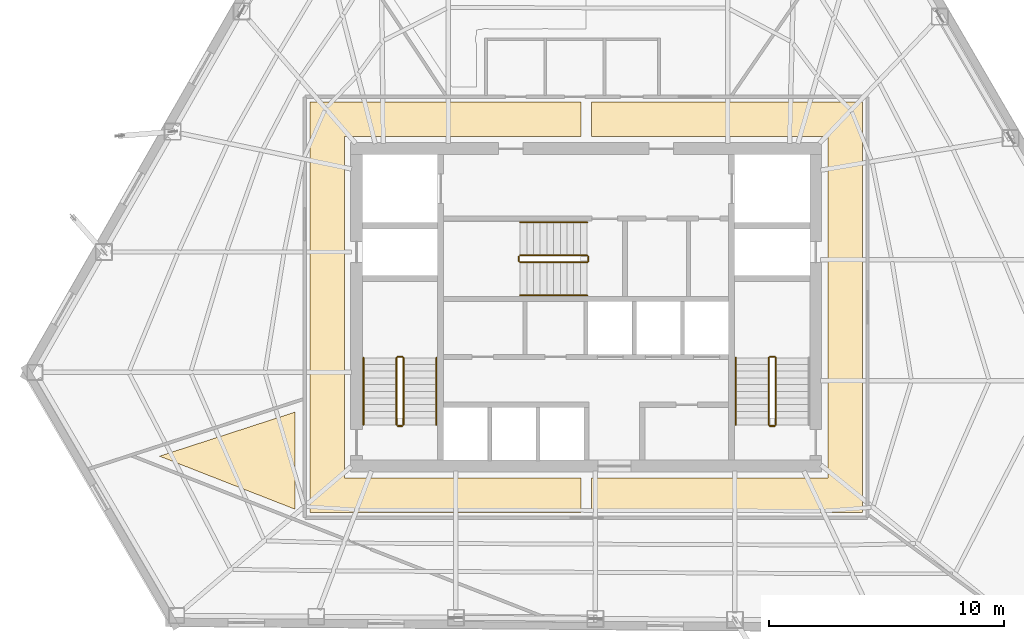
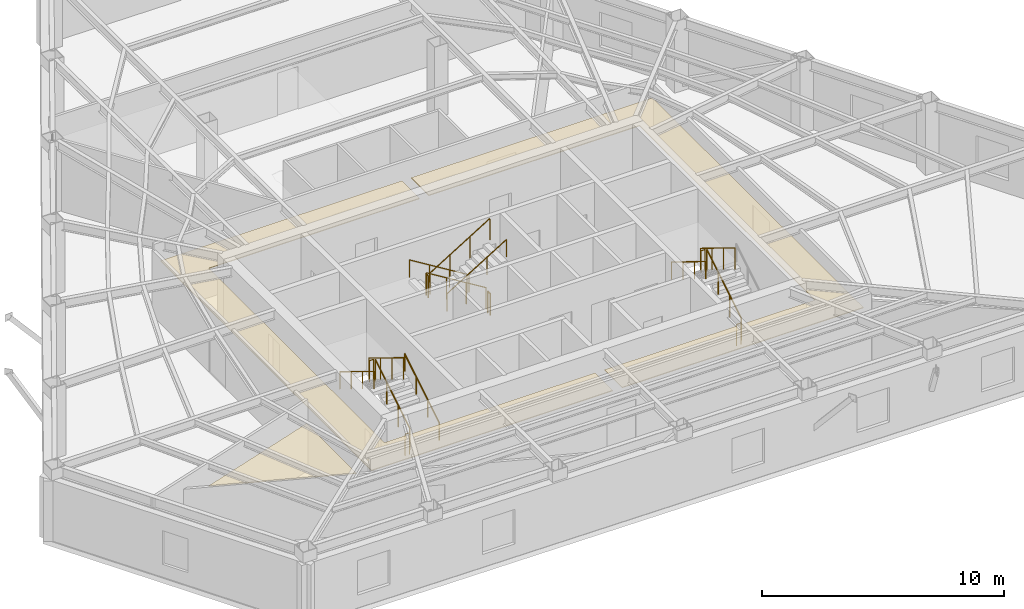
# One storey, part 12 of 13: 17 railings, 3 coverings.
"""IFC4 building model written with IfcOpenShell, lengths in metres."""

from ifc_helpers import new_model, si_unit, direction, frame, origin, origin_2d, place, context, subcontext, project, spatial, polyline, circle, outline, extrude, material, layer, layer_set, type_object, element, save


model = new_model("IFC4")

# Units and contexts
model_context = context("Model", 3, precision=1e-05, world=origin(), true_north=direction((0.0, 1.0)))
body_context = subcontext(model_context, "Body", "Model", "MODEL_VIEW")
ifc_project = project(units=[si_unit("LENGTHUNIT", "METRE"), si_unit("AREAUNIT", "SQUARE_METRE"), si_unit("VOLUMEUNIT", "CUBIC_METRE"), si_unit("PLANEANGLEUNIT", "RADIAN"), si_unit("MASSUNIT", "GRAM", prefix="KILO")], contexts=[model_context])

# Site, building, storey
site_placement = place(None, origin())
site = spatial("IfcSite", under=ifc_project, at=site_placement, CompositionType="ELEMENT")
building_placement = place(site_placement, origin())
building = spatial("IfcBuilding", under=site, at=building_placement, Name="Kavelnor Concourse Tower", CompositionType="ELEMENT")
storey_placement = place(building_placement, frame((0.0, 0.0, 116.300048828125)))
storey = spatial("IfcBuildingStorey", under=building, at=storey_placement, Name="L29", CompositionType="ELEMENT", Elevation=116.300048828125)

# Coverings
ifc_material_1 = material(Name="Mineral fibre acoustic ceiling tile")
ifc_layer = layer(ifc_material_1, 0.0400390625, Name="Mineral fibre acoustic ceiling tile")
ifc_layer_set = layer_set([ifc_layer], Name="Mineral fibre acoustic ceiling tile")
covering_type = type_object("IfcCoveringType", Name="COV-CEILING-ACOUSTIC", PredefinedType="CEILING", material=ifc_layer_set)
covering_1_placement = place(storey_placement, frame((0.0, 0.0, 2.75)))
element("IfcCovering", 1, at=covering_1_placement, inside=storey, type_object=covering_type, Name="L29 Suspended Acoustic Ceiling", PredefinedType="CEILING", context=body_context, shape_type="SweptSolid", body=[
    extrude(outline(polyline([(26.25, 7.3701171875), (26.25, 24.830078125), (37.77490234375, 24.830078125), (37.77490234375, 23.3701171875), (27.7099609375, 23.3701171875), (27.7099609375, 8.830078125), (37.77490234375, 8.830078125), (37.77490234375, 7.3701171875), (26.25, 7.3701171875)])), origin(), (0.0, 0.0, 1.0), 0.0400390625),
])
covering_2_placement = place(storey_placement, frame((0.0, 0.0, 2.75)))
element("IfcCovering", 2, at=covering_2_placement, inside=storey, type_object=covering_type, Name="L29 Suspended Acoustic Ceiling", PredefinedType="CEILING", context=body_context, shape_type="SweptSolid", body=[
    extrude(outline(polyline([(49.75, 7.3701171875), (38.22509765625, 7.3701171875), (38.22509765625, 8.830078125), (48.2900390625, 8.830078125), (48.2900390625, 23.3701171875), (38.22509765625, 23.3701171875), (38.22509765625, 24.830078125), (49.75, 24.830078125), (49.75, 7.3701171875)])), origin(), (0.0, 0.0, 1.0), 0.0400390625),
])
covering_3_placement = place(storey_placement, frame((0.0, 0.0, 2.75)))
element("IfcCovering", 3, at=covering_3_placement, inside=storey, type_object=covering_type, Name="L29 Suspended Acoustic Ceiling", PredefinedType="CEILING", context=body_context, shape_type="SweptSolid", body=[
    extrude(outline(polyline([(19.84765625, 9.765625), (25.607421875, 11.63720703125), (25.607421875, 7.5107421875), (19.84765625, 9.765625)])), origin(), (0.0, 0.0, 1.0), 0.0400390625),
])

# Railings
ifc_material_2 = material(Name="Steel Grade 350", Category="steel")
railing_type_1 = type_object("IfcRailingType", Name="RLG-GUARD-1100", PredefinedType="GUARDRAIL", material=ifc_material_2)
railing_1_placement = place(storey_placement, frame((30.22998046875, 11.10009765625, 0.175048828125)))
element("IfcRailing", 4, at=railing_1_placement, inside=storey, type_object=railing_type_1, Name="L29 ST1 stair guard 1", PredefinedType="GUARDRAIL", context=body_context, shape_type="SweptSolid", body=[
    extrude(circle(Radius=0.02392578125, at=origin_2d()), frame((0.0, 0.0, 1.076171875), z_axis=(0.0, 0.852159232446, 0.523282564737), x_axis=(-1.0, 0.0, 0.0)), (0.0, 0.0, 1.0), 3.34423828125),
    extrude(circle(Radius=0.02099609375, at=origin_2d()), origin(), (0.0, 0.0, 1.0), 1.052001953125),
    extrude(circle(Radius=0.02099609375, at=origin_2d()), frame((0.0, 0.949951171875, 0.583251953125)), (0.0, 0.0, 1.0), 1.052001953125),
    extrude(circle(Radius=0.02099609375, at=origin_2d()), frame((0.0, 1.89990234375, 1.166748046875)), (0.0, 0.0, 1.0), 1.052001953125),
    extrude(circle(Radius=0.02099609375, at=origin_2d()), frame((0.0, 2.849853515625, 1.75)), (0.0, 0.0, 1.0), 1.052001953125),
])
railing_2_placement = place(storey_placement, frame((30.179931640625, 14.0, 1.925048828125)))
element("IfcRailing", 5, at=railing_2_placement, inside=storey, type_object=railing_type_1, Name="L29 ST1 stair guard 2", PredefinedType="GUARDRAIL", context=body_context, shape_type="SweptSolid", body=[
    extrude(circle(Radius=0.02392578125, at=origin_2d()), frame((0.0, 0.0, 1.076171875), z_axis=(-1.0, 0.0, 0.0), x_axis=(0.0, -1.0, 0.0)), (0.0, 0.0, 1.0), 0.199951171875),
    extrude(circle(Radius=0.02099609375, at=origin_2d()), origin(), (0.0, 0.0, 1.0), 1.052001953125),
    extrude(circle(Radius=0.02099609375, at=origin_2d()), frame((-0.199951171875, 0.0, 0.0)), (0.0, 0.0, 1.0), 1.052001953125),
])
railing_3_placement = place(storey_placement, frame((29.929931640625, 13.949951171875, 2.099853515625)))
element("IfcRailing", 6, at=railing_3_placement, inside=storey, type_object=railing_type_1, Name="L29 ST1 stair guard 3", PredefinedType="GUARDRAIL", context=body_context, shape_type="SweptSolid", body=[
    extrude(circle(Radius=0.02392578125, at=origin_2d()), frame((0.0, 0.0, 1.076171875), z_axis=(0.0, -0.852159232446, 0.523282564737), x_axis=(1.0, 0.0, 0.0)), (0.0, 0.0, 1.0), 3.34423828125),
    extrude(circle(Radius=0.02099609375, at=origin_2d()), origin(), (0.0, 0.0, 1.0), 1.052001953125),
    extrude(circle(Radius=0.02099609375, at=origin_2d()), frame((0.0, -0.949951171875, 0.583251953125)), (0.0, 0.0, 1.0), 1.052001953125),
    extrude(circle(Radius=0.02099609375, at=origin_2d()), frame((0.0, -1.89990234375, 1.166748046875)), (0.0, 0.0, 1.0), 1.052001953125),
    extrude(circle(Radius=0.02099609375, at=origin_2d()), frame((0.0, -2.849853515625, 1.75)), (0.0, 0.0, 1.0), 1.052001953125),
])
railing_4_placement = place(storey_placement, frame((30.179931640625, 11.050048828125, 0.0)))
element("IfcRailing", 7, at=railing_4_placement, inside=storey, type_object=railing_type_1, Name="L29 ST1 stair guard 4", PredefinedType="GUARDRAIL", context=body_context, shape_type="SweptSolid", body=[
    extrude(circle(Radius=0.02392578125, at=origin_2d()), frame((0.0, 0.0, 1.076171875), z_axis=(-1.0, 0.0, 0.0), x_axis=(0.0, -1.0, 0.0)), (0.0, 0.0, 1.0), 0.199951171875),
    extrude(circle(Radius=0.02099609375, at=origin_2d()), origin(), (0.0, 0.0, 1.0), 1.052001953125),
    extrude(circle(Radius=0.02099609375, at=origin_2d()), frame((-0.199951171875, 0.0, 0.0)), (0.0, 0.0, 1.0), 1.052001953125),
])
railing_5_placement = place(storey_placement, frame((46.070068359375, 11.10009765625, 0.175048828125)))
element("IfcRailing", 8, at=railing_5_placement, inside=storey, type_object=railing_type_1, Name="L29 ST2 stair guard 1", PredefinedType="GUARDRAIL", context=body_context, shape_type="SweptSolid", body=[
    extrude(circle(Radius=0.02392578125, at=origin_2d()), frame((0.0, 0.0, 1.076171875), z_axis=(0.0, 0.852159232446, 0.523282564737), x_axis=(-1.0, 0.0, 0.0)), (0.0, 0.0, 1.0), 3.34423828125),
    extrude(circle(Radius=0.02099609375, at=origin_2d()), origin(), (0.0, 0.0, 1.0), 1.052001953125),
    extrude(circle(Radius=0.02099609375, at=origin_2d()), frame((0.0, 0.949951171875, 0.583251953125)), (0.0, 0.0, 1.0), 1.052001953125),
    extrude(circle(Radius=0.02099609375, at=origin_2d()), frame((0.0, 1.89990234375, 1.166748046875)), (0.0, 0.0, 1.0), 1.052001953125),
    extrude(circle(Radius=0.02099609375, at=origin_2d()), frame((0.0, 2.849853515625, 1.75)), (0.0, 0.0, 1.0), 1.052001953125),
])
railing_6_placement = place(storey_placement, frame((46.02001953125, 14.0, 1.925048828125)))
element("IfcRailing", 9, at=railing_6_placement, inside=storey, type_object=railing_type_1, Name="L29 ST2 stair guard 2", PredefinedType="GUARDRAIL", context=body_context, shape_type="SweptSolid", body=[
    extrude(circle(Radius=0.02392578125, at=origin_2d()), frame((0.0, 0.0, 1.076171875), z_axis=(-1.0, 0.0, 0.0), x_axis=(0.0, -1.0, 0.0)), (0.0, 0.0, 1.0), 0.199951171875),
    extrude(circle(Radius=0.02099609375, at=origin_2d()), origin(), (0.0, 0.0, 1.0), 1.052001953125),
    extrude(circle(Radius=0.02099609375, at=origin_2d()), frame((-0.199951171875, 0.0, 0.0)), (0.0, 0.0, 1.0), 1.052001953125),
])
railing_7_placement = place(storey_placement, frame((45.77001953125, 13.949951171875, 2.099853515625)))
element("IfcRailing", 10, at=railing_7_placement, inside=storey, type_object=railing_type_1, Name="L29 ST2 stair guard 3", PredefinedType="GUARDRAIL", context=body_context, shape_type="SweptSolid", body=[
    extrude(circle(Radius=0.02392578125, at=origin_2d()), frame((0.0, 0.0, 1.076171875), z_axis=(0.0, -0.852159232446, 0.523282564737), x_axis=(1.0, 0.0, 0.0)), (0.0, 0.0, 1.0), 3.34423828125),
    extrude(circle(Radius=0.02099609375, at=origin_2d()), origin(), (0.0, 0.0, 1.0), 1.052001953125),
    extrude(circle(Radius=0.02099609375, at=origin_2d()), frame((0.0, -0.949951171875, 0.583251953125)), (0.0, 0.0, 1.0), 1.052001953125),
    extrude(circle(Radius=0.02099609375, at=origin_2d()), frame((0.0, -1.89990234375, 1.166748046875)), (0.0, 0.0, 1.0), 1.052001953125),
    extrude(circle(Radius=0.02099609375, at=origin_2d()), frame((0.0, -2.849853515625, 1.75)), (0.0, 0.0, 1.0), 1.052001953125),
])
railing_8_placement = place(storey_placement, frame((46.02001953125, 11.050048828125, 0.0)))
element("IfcRailing", 11, at=railing_8_placement, inside=storey, type_object=railing_type_1, Name="L29 ST2 stair guard 4", PredefinedType="GUARDRAIL", context=body_context, shape_type="SweptSolid", body=[
    extrude(circle(Radius=0.02392578125, at=origin_2d()), frame((0.0, 0.0, 1.076171875), z_axis=(-1.0, 0.0, 0.0), x_axis=(0.0, -1.0, 0.0)), (0.0, 0.0, 1.0), 0.199951171875),
    extrude(circle(Radius=0.02099609375, at=origin_2d()), origin(), (0.0, 0.0, 1.0), 1.052001953125),
    extrude(circle(Radius=0.02099609375, at=origin_2d()), frame((-0.199951171875, 0.0, 0.0)), (0.0, 0.0, 1.0), 1.052001953125),
])
railing_9_placement = place(storey_placement, frame((38.0400390625, 18.31005859375, 0.175048828125)))
element("IfcRailing", 12, at=railing_9_placement, inside=storey, type_object=railing_type_1, Name="L29 ST3 stair guard 1", PredefinedType="GUARDRAIL", context=body_context, shape_type="SweptSolid", body=[
    extrude(circle(Radius=0.02392578125, at=origin_2d()), frame((0.0, 0.0, 1.076171875), z_axis=(-0.852179220489, 0.0, 0.52325001306), x_axis=(0.0, -1.0, 0.0)), (0.0, 0.0, 1.0), 3.344482421875),
    extrude(circle(Radius=0.02099609375, at=origin_2d()), origin(), (0.0, 0.0, 1.0), 1.052001953125),
    extrude(circle(Radius=0.02099609375, at=origin_2d()), frame((-0.949951171875, 0.0, 0.583251953125)), (0.0, 0.0, 1.0), 1.052001953125),
    extrude(circle(Radius=0.02099609375, at=origin_2d()), frame((-1.900146484375, 0.0, 1.166748046875)), (0.0, 0.0, 1.0), 1.052001953125),
    extrude(circle(Radius=0.02099609375, at=origin_2d()), frame((-2.85009765625, 0.0, 1.75)), (0.0, 0.0, 1.0), 1.052001953125),
])
railing_10_placement = place(storey_placement, frame((35.139892578125, 18.260009765625, 1.925048828125)))
element("IfcRailing", 13, at=railing_10_placement, inside=storey, type_object=railing_type_1, Name="L29 ST3 stair guard 2", PredefinedType="GUARDRAIL", context=body_context, shape_type="SweptSolid", body=[
    extrude(circle(Radius=0.02392578125, at=origin_2d()), frame((0.0, 0.0, 1.076171875), z_axis=(0.0, -1.0, 0.0), x_axis=(1.0, 0.0, 0.0)), (0.0, 0.0, 1.0), 0.199951171875),
    extrude(circle(Radius=0.02099609375, at=origin_2d()), origin(), (0.0, 0.0, 1.0), 1.052001953125),
    extrude(circle(Radius=0.02099609375, at=origin_2d()), frame((0.0, -0.199951171875, 0.0)), (0.0, 0.0, 1.0), 1.052001953125),
])
railing_11_placement = place(storey_placement, frame((35.18994140625, 18.010009765625, 2.099853515625)))
element("IfcRailing", 14, at=railing_11_placement, inside=storey, type_object=railing_type_1, Name="L29 ST3 stair guard 3", PredefinedType="GUARDRAIL", context=body_context, shape_type="SweptSolid", body=[
    extrude(circle(Radius=0.02392578125, at=origin_2d()), frame((0.0, 0.0, 1.076171875), z_axis=(0.852179220489, 0.0, 0.52325001306), x_axis=(0.0, 1.0, 0.0)), (0.0, 0.0, 1.0), 3.344482421875),
    extrude(circle(Radius=0.02099609375, at=origin_2d()), origin(), (0.0, 0.0, 1.0), 1.052001953125),
    extrude(circle(Radius=0.02099609375, at=origin_2d()), frame((0.949951171875, 0.0, 0.583251953125)), (0.0, 0.0, 1.0), 1.052001953125),
    extrude(circle(Radius=0.02099609375, at=origin_2d()), frame((1.900146484375, 0.0, 1.166748046875)), (0.0, 0.0, 1.0), 1.052001953125),
    extrude(circle(Radius=0.02099609375, at=origin_2d()), frame((2.85009765625, 0.0, 1.75)), (0.0, 0.0, 1.0), 1.052001953125),
])
railing_12_placement = place(storey_placement, frame((38.090087890625, 18.260009765625, 0.0)))
element("IfcRailing", 15, at=railing_12_placement, inside=storey, type_object=railing_type_1, Name="L29 ST3 stair guard 4", PredefinedType="GUARDRAIL", context=body_context, shape_type="SweptSolid", body=[
    extrude(circle(Radius=0.02392578125, at=origin_2d()), frame((0.0, 0.0, 1.076171875), z_axis=(0.0, -1.0, 0.0), x_axis=(1.0, 0.0, 0.0)), (0.0, 0.0, 1.0), 0.199951171875),
    extrude(circle(Radius=0.02099609375, at=origin_2d()), origin(), (0.0, 0.0, 1.0), 1.052001953125),
    extrude(circle(Radius=0.02099609375, at=origin_2d()), frame((0.0, -0.199951171875, 0.0)), (0.0, 0.0, 1.0), 1.052001953125),
])
railing_type_2 = type_object("IfcRailingType", Name="RLG-HANDRAIL-900", PredefinedType="HANDRAIL", material=ifc_material_2)
railing_13_placement = place(storey_placement, frame((31.6298828125, 11.10009765625, 0.175048828125)))
element("IfcRailing", 16, at=railing_13_placement, inside=storey, type_object=railing_type_2, Name="L29 ST1 stair handrail 1", PredefinedType="HANDRAIL", context=body_context, shape_type="SweptSolid", body=[
    extrude(circle(Radius=0.02392578125, at=origin_2d()), frame((0.0, 0.0, 0.8759765625), z_axis=(0.0, 0.852159232446, 0.523282564737), x_axis=(-1.0, 0.0, 0.0)), (0.0, 0.0, 1.0), 3.34423828125),
    extrude(circle(Radius=0.02099609375, at=origin_2d()), origin(), (0.0, 0.0, 1.0), 0.851806640625),
    extrude(circle(Radius=0.02099609375, at=origin_2d()), frame((0.0, 0.949951171875, 0.583251953125)), (0.0, 0.0, 1.0), 0.851806640625),
    extrude(circle(Radius=0.02099609375, at=origin_2d()), frame((0.0, 1.89990234375, 1.166748046875)), (0.0, 0.0, 1.0), 0.851806640625),
    extrude(circle(Radius=0.02099609375, at=origin_2d()), frame((0.0, 2.849853515625, 1.75)), (0.0, 0.0, 1.0), 0.851806640625),
])
for number, where, name in (
    (17, (28.530029296875, 13.949951171875, 2.099853515625), "L29 ST1 stair handrail 2"),
    (18, (44.3701171875, 13.949951171875, 2.099853515625), "L29 ST2 stair handrail 2"),
):
    element("IfcRailing", number, at=place(storey_placement, frame(where)), inside=storey, type_object=railing_type_2, Name=name, PredefinedType="HANDRAIL", context=body_context, shape_type="SweptSolid", body=[
        extrude(circle(Radius=0.02392578125, at=origin_2d()), frame((0.0, 0.0, 0.8759765625), z_axis=(0.0, -0.852159232446, 0.523282564737), x_axis=(1.0, 0.0, 0.0)), (0.0, 0.0, 1.0), 3.34423828125),
        extrude(circle(Radius=0.02099609375, at=origin_2d()), origin(), (0.0, 0.0, 1.0), 0.851806640625),
        extrude(circle(Radius=0.02099609375, at=origin_2d()), frame((0.0, -0.949951171875, 0.583251953125)), (0.0, 0.0, 1.0), 0.851806640625),
        extrude(circle(Radius=0.02099609375, at=origin_2d()), frame((0.0, -1.89990234375, 1.166748046875)), (0.0, 0.0, 1.0), 0.851806640625),
        extrude(circle(Radius=0.02099609375, at=origin_2d()), frame((0.0, -2.849853515625, 1.75)), (0.0, 0.0, 1.0), 0.851806640625),
    ])
railing_14_placement = place(storey_placement, frame((38.0400390625, 19.7099609375, 0.175048828125)))
element("IfcRailing", 19, at=railing_14_placement, inside=storey, type_object=railing_type_2, Name="L29 ST3 stair handrail 1", PredefinedType="HANDRAIL", context=body_context, shape_type="SweptSolid", body=[
    extrude(circle(Radius=0.02392578125, at=origin_2d()), frame((0.0, 0.0, 0.8759765625), z_axis=(-0.852179220489, 0.0, 0.52325001306), x_axis=(0.0, -1.0, 0.0)), (0.0, 0.0, 1.0), 3.344482421875),
    extrude(circle(Radius=0.02099609375, at=origin_2d()), origin(), (0.0, 0.0, 1.0), 0.851806640625),
    extrude(circle(Radius=0.02099609375, at=origin_2d()), frame((-0.949951171875, 0.0, 0.583251953125)), (0.0, 0.0, 1.0), 0.851806640625),
    extrude(circle(Radius=0.02099609375, at=origin_2d()), frame((-1.900146484375, 0.0, 1.166748046875)), (0.0, 0.0, 1.0), 0.851806640625),
    extrude(circle(Radius=0.02099609375, at=origin_2d()), frame((-2.85009765625, 0.0, 1.75)), (0.0, 0.0, 1.0), 0.851806640625),
])
railing_15_placement = place(storey_placement, frame((35.18994140625, 16.610107421875, 2.099853515625)))
element("IfcRailing", 20, at=railing_15_placement, inside=storey, type_object=railing_type_2, Name="L29 ST3 stair handrail 2", PredefinedType="HANDRAIL", context=body_context, shape_type="SweptSolid", body=[
    extrude(circle(Radius=0.02392578125, at=origin_2d()), frame((0.0, 0.0, 0.8759765625), z_axis=(0.852179220489, 0.0, 0.52325001306), x_axis=(0.0, 1.0, 0.0)), (0.0, 0.0, 1.0), 3.344482421875),
    extrude(circle(Radius=0.02099609375, at=origin_2d()), origin(), (0.0, 0.0, 1.0), 0.851806640625),
    extrude(circle(Radius=0.02099609375, at=origin_2d()), frame((0.949951171875, 0.0, 0.583251953125)), (0.0, 0.0, 1.0), 0.851806640625),
    extrude(circle(Radius=0.02099609375, at=origin_2d()), frame((1.900146484375, 0.0, 1.166748046875)), (0.0, 0.0, 1.0), 0.851806640625),
    extrude(circle(Radius=0.02099609375, at=origin_2d()), frame((2.85009765625, 0.0, 1.75)), (0.0, 0.0, 1.0), 0.851806640625),
])

save(model, "model.ifc")
